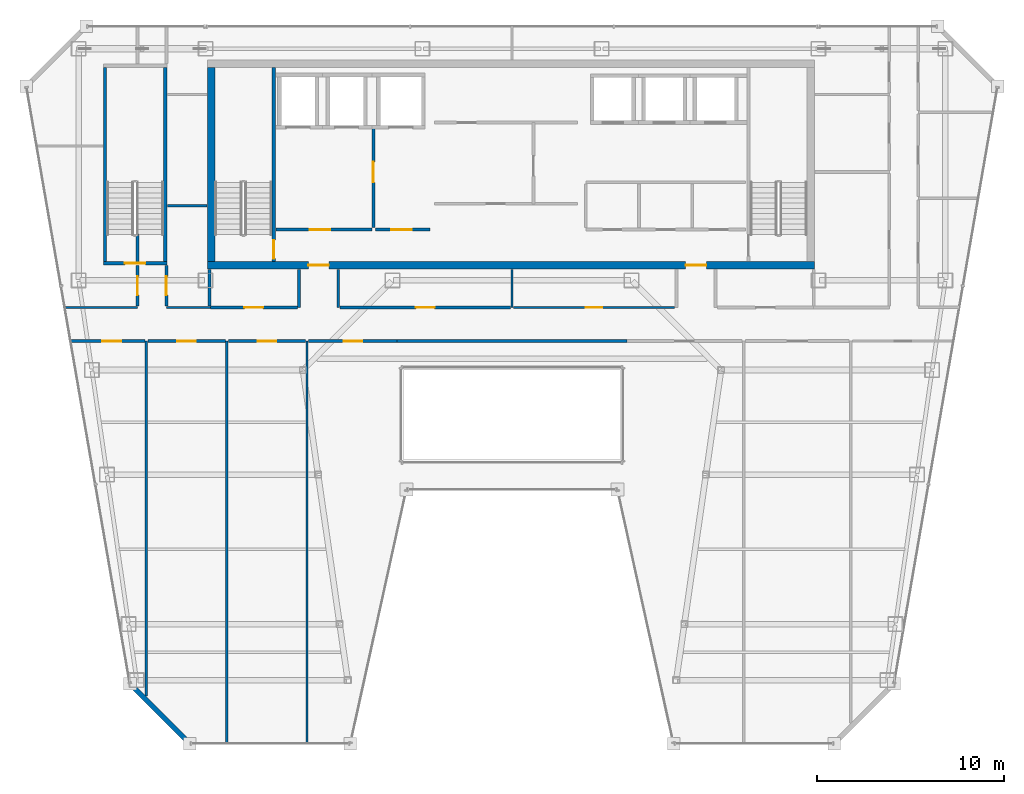
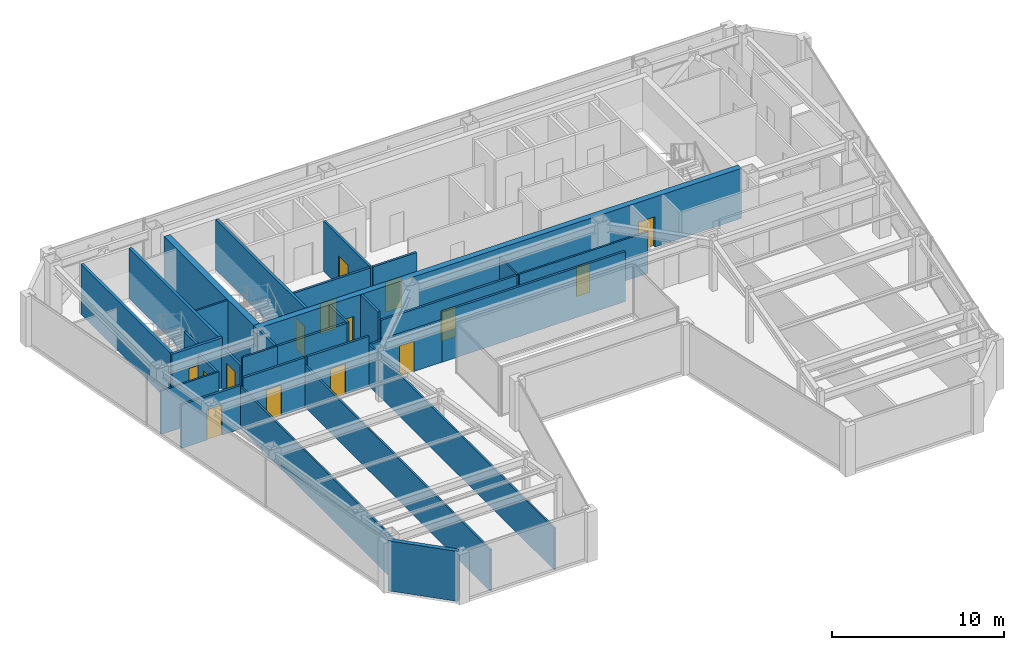
# One storey, part 26 of 33: 31 walls, 16 doors, 16 openings.
"""IFC4 building model written with IfcOpenShell, lengths in metres."""

from ifc_helpers import new_model, si_unit, direction, frame, frame_2d, origin, place, context, subcontext, project, spatial, rectangle, extrude, material, layer, layer_set, type_object, element, fill, save


model = new_model("IFC4")

# Units and contexts
model_context = context("Model", 3, precision=1e-05, world=origin(), true_north=direction((0.0, 1.0)))
body_context = subcontext(model_context, "Body", "Model", "MODEL_VIEW")
ifc_project = project(units=[si_unit("LENGTHUNIT", "METRE"), si_unit("AREAUNIT", "SQUARE_METRE"), si_unit("VOLUMEUNIT", "CUBIC_METRE"), si_unit("PLANEANGLEUNIT", "RADIAN"), si_unit("MASSUNIT", "GRAM", prefix="KILO")], contexts=[model_context])

# Site, building, storey
site_placement = place(None, origin())
site = spatial("IfcSite", under=ifc_project, at=site_placement, CompositionType="ELEMENT")
building_placement = place(site_placement, origin())
building = spatial("IfcBuilding", under=site, at=building_placement, Name="Saevonmaru Cultural Tower", CompositionType="ELEMENT")
storey_placement = place(building_placement, frame((0.0, 0.0, 238.199951171875)))
storey = spatial("IfcBuildingStorey", under=building, at=storey_placement, Name="L55", CompositionType="ELEMENT", Elevation=238.199951171875)

# Wall, openings, doors
ifc_material_1 = material(Name="Concrete C50/60", Category="concrete")
ifc_layer_1 = layer(ifc_material_1, 0.39990234375, Name="Concrete C50/60")
ifc_layer_set_1 = layer_set([ifc_layer_1], Name="Concrete C50/60")
wall_type_1 = type_object("IfcWallType", Name="WL-CORE-400", PredefinedType="SHEAR", material=ifc_layer_set_1)
wall_1_placement = place(storey_placement, frame((13.699951171875, 43.199951171875, 0.0), z_axis=(0.0, 0.0, 1.0), x_axis=(1.0, 0.0, 0.0)))
wall_1 = element("IfcWall", 1, at=wall_1_placement, inside=storey, type_object=wall_type_1, Name="L55 Tower RC core shear wall S", PredefinedType="SHEAR", context=body_context, shape_type="SweptSolid", body=[
    extrude(rectangle(XDim=32.5, YDim=0.39990234375, at=frame_2d((16.25, 0.0))), origin(), (0.0, 0.0, 1.0), 3.550048828125),
])
opening_1_placement = place(wall_1_placement, frame((5.39990234375, 0.0, 0.0)))
opening_1 = element("IfcOpeningElement", 2, at=opening_1_placement, cuts=wall_1, Name="Opening FD-2", PredefinedType="OPENING", context=body_context, shape_type="SweptSolid", body=[
    extrude(rectangle(XDim=1.10009765625, YDim=2.14990234375, at=frame_2d((0.550048828125, 1.074951171875))), frame((0.0, 0.2099609375, 0.0), z_axis=(0.0, -1.0, 0.0), x_axis=(1.0, 0.0, 0.0)), (0.0, 0.0, 1.0), 0.419921875),
])
opening_2_placement = place(wall_1_placement, frame((25.60009765625, 0.0, 0.0)))
opening_2 = element("IfcOpeningElement", 3, at=opening_2_placement, cuts=wall_1, Name="Opening FD-2", PredefinedType="OPENING", context=body_context, shape_type="SweptSolid", body=[
    extrude(rectangle(XDim=1.10009765625, YDim=2.14990234375, at=frame_2d((0.550048828125, 1.074951171875))), frame((0.0, 0.2099609375, 0.0), z_axis=(0.0, -1.0, 0.0), x_axis=(1.0, 0.0, 0.0)), (0.0, 0.0, 1.0), 0.419921875),
])
ifc_material_2 = material(Name="Satin Bronze Anodised Aluminium", Category="aluminium")
door_type_1 = type_object("IfcDoorType", Name="DR-FD60-1100", OperationType="SINGLE_SWING_LEFT", PredefinedType="DOOR", material=ifc_material_2)
door_1_placement = place(opening_1_placement, origin())
door_1 = element("IfcDoor", 4, at=door_1_placement, inside=storey, type_object=door_type_1, Name="L55 Core West Lobby Fire Door", OperationType="SINGLE_SWING_LEFT", OverallHeight=2.14990234375, OverallWidth=1.10009765625, PredefinedType="DOOR", context=body_context, shape_type="SweptSolid", body=[
    extrude(rectangle(XDim=1.10009765625, YDim=2.14990234375, at=frame_2d((0.550048828125, 1.074951171875))), frame((0.0, 0.02490234375, 0.0), z_axis=(0.0, -1.0, 0.0), x_axis=(1.0, 0.0, 0.0)), (0.0, 0.0, 1.0), 0.050048828125),
])
fill(opening_1, door_1)
door_2_placement = place(opening_2_placement, origin())
door_2 = element("IfcDoor", 5, at=door_2_placement, inside=storey, type_object=door_type_1, Name="L55 Core East Lobby Fire Door", OperationType="SINGLE_SWING_LEFT", OverallHeight=2.14990234375, OverallWidth=1.10009765625, PredefinedType="DOOR", context=body_context, shape_type="SweptSolid", body=[
    extrude(rectangle(XDim=1.10009765625, YDim=2.14990234375, at=frame_2d((0.550048828125, 1.074951171875))), frame((0.0, 0.02490234375, 0.0), z_axis=(0.0, -1.0, 0.0), x_axis=(1.0, 0.0, 0.0)), (0.0, 0.0, 1.0), 0.050048828125),
])
fill(opening_2, door_2)

# Wall
wall_2_placement = place(storey_placement, frame((13.89990234375, 43.39990234375, 0.0), z_axis=(0.0, 0.0, 1.0), x_axis=(0.0, 1.0, 0.0)))
element("IfcWall", 6, at=wall_2_placement, inside=storey, type_object=wall_type_1, Name="L55 Tower RC core shear wall W", PredefinedType="SHEAR", context=body_context, shape_type="SweptSolid", body=[
    extrude(rectangle(XDim=10.400146484375, YDim=0.39990234375, at=frame_2d((5.2001953125, 0.0))), origin(), (0.0, 0.0, 1.0), 3.550048828125),
])

# Wall, opening, door
ifc_material_3 = material(Name="Gypsum Fireboard Partition", Category="gypsum")
ifc_layer_2 = layer(ifc_material_3, 0.14990234375, Name="Gypsum Fireboard Partition")
ifc_layer_set_2 = layer_set([ifc_layer_2], Name="Gypsum Fireboard Partition")
wall_type_2 = type_object("IfcWallType", Name="WL-CORE-PART-150", PredefinedType="PARTITIONING", material=ifc_layer_set_2)
wall_3_placement = place(storey_placement, frame((17.360107421875, 45.1201171875, 0.0), z_axis=(0.0, 0.0, 1.0), x_axis=(1.0, 0.0, 0.0)))
wall_3 = element("IfcWall", 7, at=wall_3_placement, inside=storey, type_object=wall_type_2, Name="L55 Firefighting Lift Lobby South Wall", PredefinedType="PARTITIONING", context=body_context, shape_type="SweptSolid", body=[
    extrude(rectangle(XDim=5.139892578125, YDim=0.14990234375, at=frame_2d((2.56982421875, 0.0))), origin(), (0.0, 0.0, 1.0), 3.550048828125),
])
opening_3_placement = place(wall_3_placement, frame((1.800048828125, 0.0, 0.0)))
opening_3 = element("IfcOpeningElement", 8, at=opening_3_placement, cuts=wall_3, Name="Opening FD-2", PredefinedType="OPENING", context=body_context, shape_type="SweptSolid", body=[
    extrude(rectangle(XDim=1.10009765625, YDim=2.14990234375, at=frame_2d((0.550048828125, 1.074951171875))), frame((0.0, 0.0849609375, 0.0), z_axis=(0.0, -1.0, 0.0), x_axis=(1.0, 0.0, 0.0)), (0.0, 0.0, 1.0), 0.169921875),
])
door_3_placement = place(opening_3_placement, origin())
door_3 = element("IfcDoor", 9, at=door_3_placement, inside=storey, type_object=door_type_1, Name="L55 Firefighting Lift Lobby South Door", OperationType="SINGLE_SWING_LEFT", OverallHeight=2.14990234375, OverallWidth=1.10009765625, PredefinedType="DOOR", context=body_context, shape_type="SweptSolid", body=[
    extrude(rectangle(XDim=1.10009765625, YDim=2.14990234375, at=frame_2d((0.550048828125, 1.074951171875))), frame((0.0, 0.02490234375, 0.0), z_axis=(0.0, -1.0, 0.0), x_axis=(1.0, 0.0, 0.0)), (0.0, 0.0, 1.0), 0.050048828125),
])
fill(opening_3, door_3)

wall_4_placement = place(storey_placement, frame((22.580078125, 50.550048828125, 0.0), z_axis=(0.0, 0.0, 1.0), x_axis=(0.0, -1.0, 0.0)))
wall_4 = element("IfcWall", 10, at=wall_4_placement, inside=storey, type_object=wall_type_2, Name="L55 Firefighting Lift Lobby East Wall", PredefinedType="PARTITIONING", context=body_context, shape_type="SweptSolid", body=[
    extrude(rectangle(XDim=5.330078125, YDim=0.14990234375, at=frame_2d((2.6650390625, 0.0))), origin(), (0.0, 0.0, 1.0), 3.550048828125),
])
opening_4_placement = place(wall_4_placement, frame((1.800048828125, 0.0, 0.0)))
opening_4 = element("IfcOpeningElement", 11, at=opening_4_placement, cuts=wall_4, Name="Opening FD-2", PredefinedType="OPENING", context=body_context, shape_type="SweptSolid", body=[
    extrude(rectangle(XDim=1.10009765625, YDim=2.14990234375, at=frame_2d((0.550048828125, 1.074951171875))), frame((0.0, 0.0849609375, 0.0), z_axis=(0.0, -1.0, 0.0), x_axis=(1.0, 0.0, 0.0)), (0.0, 0.0, 1.0), 0.169921875),
])
door_4_placement = place(opening_4_placement, origin())
door_4 = element("IfcDoor", 12, at=door_4_placement, inside=storey, type_object=door_type_1, Name="L55 Firefighting Lift Lobby East Door", OperationType="SINGLE_SWING_LEFT", OverallHeight=2.14990234375, OverallWidth=1.10009765625, PredefinedType="DOOR", context=body_context, shape_type="SweptSolid", body=[
    extrude(rectangle(XDim=1.10009765625, YDim=2.14990234375, at=frame_2d((0.550048828125, 1.074951171875))), frame((0.0, 0.02490234375, 0.0), z_axis=(0.0, -1.0, 0.0), x_axis=(1.0, 0.0, 0.0)), (0.0, 0.0, 1.0), 0.050048828125),
])
fill(opening_4, door_4)

wall_5_placement = place(storey_placement, frame((22.679931640625, 45.1201171875, 0.0), z_axis=(0.0, 0.0, 1.0), x_axis=(1.0, 0.0, 0.0)))
wall_5 = element("IfcWall", 13, at=wall_5_placement, inside=storey, type_object=wall_type_2, Name="L55 Service Lift Vestibule Wall", PredefinedType="PARTITIONING", context=body_context, shape_type="SweptSolid", body=[
    extrude(rectangle(XDim=2.920166015625, YDim=0.14990234375, at=frame_2d((1.4599609375, 0.0))), origin(), (0.0, 0.0, 1.0), 3.550048828125),
])
opening_5_placement = place(wall_5_placement, frame((0.85009765625, 0.0, 0.0)))
opening_5 = element("IfcOpeningElement", 14, at=opening_5_placement, cuts=wall_5, Name="Opening FD-2", PredefinedType="OPENING", context=body_context, shape_type="SweptSolid", body=[
    extrude(rectangle(XDim=1.10009765625, YDim=2.14990234375, at=frame_2d((0.550048828125, 1.074951171875))), frame((0.0, 0.0849609375, 0.0), z_axis=(0.0, -1.0, 0.0), x_axis=(1.0, 0.0, 0.0)), (0.0, 0.0, 1.0), 0.169921875),
])
door_5_placement = place(opening_5_placement, origin())
door_5 = element("IfcDoor", 15, at=door_5_placement, inside=storey, type_object=door_type_1, Name="L55 Service Lift Vestibule Door", OperationType="SINGLE_SWING_LEFT", OverallHeight=2.14990234375, OverallWidth=1.10009765625, PredefinedType="DOOR", context=body_context, shape_type="SweptSolid", body=[
    extrude(rectangle(XDim=1.10009765625, YDim=2.14990234375, at=frame_2d((0.550048828125, 1.074951171875))), frame((0.0, 0.02490234375, 0.0), z_axis=(0.0, -1.0, 0.0), x_axis=(1.0, 0.0, 0.0)), (0.0, 0.0, 1.0), 0.050048828125),
])
fill(opening_5, door_5)

# Wall
ifc_material_4 = material(Name="Granite-Clad Precast Concrete C40/50", Category="masonry")
ifc_layer_3 = layer(ifc_material_4, 0.260009765625, Name="Granite-Clad Precast Concrete C40/50")
ifc_layer_set_3 = layer_set([ifc_layer_3], Name="Granite-Clad Precast Concrete C40/50")
wall_type_3 = type_object("IfcWallType", Name="WL-EXT-SPANDREL-260", PredefinedType="STANDARD", material=ifc_layer_set_3)
wall_6_placement = place(storey_placement, frame((9.659912109375, 20.68701171875, 0.0), z_axis=(0.0, 0.0, 1.0), x_axis=(0.70707775441, -0.707135806771, 0.0)))
element("IfcWall", 16, at=wall_6_placement, inside=storey, type_object=wall_type_3, Name="L55 Chamfer Corner Spandrel Wall E1", PredefinedType="STANDARD", context=body_context, shape_type="SweptSolid", body=[
    extrude(rectangle(XDim=4.20556640625, YDim=0.260009765625, at=frame_2d((2.102783203125, 0.0))), origin(), (0.0, 0.0, 1.0), 3.550048828125),
])

# Wall, opening, door
ifc_layer_4 = layer(ifc_material_3, 0.14990234375, Name="Gypsum Fireboard Partition")
ifc_layer_set_4 = layer_set([ifc_layer_4], Name="Gypsum Fireboard Partition")
wall_type_4 = type_object("IfcWallType", Name="WL-PART-FIRE-150", PredefinedType="PARTITIONING", material=ifc_layer_set_4)
wall_7_placement = place(storey_placement, frame((9.949951171875, 41.030029296875, 0.0), z_axis=(0.0, 0.0, 1.0), x_axis=(0.0, 1.0, 0.0)))
wall_7 = element("IfcWall", 17, at=wall_7_placement, inside=storey, type_object=wall_type_4, Name="L55 Chamber Rehearsal Auditorium Corridor Wall", PredefinedType="PARTITIONING", context=body_context, shape_type="SweptSolid", body=[
    extrude(rectangle(XDim=2.169921875, YDim=0.14990234375, at=frame_2d((1.0849609375, 0.0))), origin(), (0.0, 0.0, 1.0), 2.947021484375),
])
opening_6_placement = place(wall_7_placement, frame((0.5849609375, 0.0, 0.0)))
opening_6 = element("IfcOpeningElement", 18, at=opening_6_placement, cuts=wall_7, Name="Opening ID-1B", PredefinedType="OPENING", context=body_context, shape_type="SweptSolid", body=[
    extrude(rectangle(XDim=1.0, YDim=2.14990234375, at=frame_2d((0.5, 1.074951171875))), frame((0.0, 0.0849609375, 0.0), z_axis=(0.0, -1.0, 0.0), x_axis=(1.0, 0.0, 0.0)), (0.0, 0.0, 1.0), 0.169921875),
])
ifc_material_5 = material(Name="Acoustic Stained Oak Timber", Category="wood")
door_type_2 = type_object("IfcDoorType", Name="DR-INT-1000", OperationType="SINGLE_SWING_RIGHT", PredefinedType="DOOR", material=ifc_material_5)
door_6_placement = place(opening_6_placement, origin())
door_6 = element("IfcDoor", 19, at=door_6_placement, inside=storey, type_object=door_type_2, Name="L55 Chamber Rehearsal Auditorium Door", OperationType="SINGLE_SWING_LEFT", OverallHeight=2.14990234375, OverallWidth=1.0, PredefinedType="DOOR", context=body_context, shape_type="SweptSolid", body=[
    extrude(rectangle(XDim=1.0, YDim=2.14990234375, at=frame_2d((0.5, 1.074951171875))), frame((0.0, 0.02490234375, 0.0), z_axis=(0.0, -1.0, 0.0), x_axis=(1.0, 0.0, 0.0)), (0.0, 0.0, 1.0), 0.050048828125),
])
fill(opening_6, door_6)

# Wall
wall_8_placement = place(storey_placement, frame((9.949951171875, 43.419921875, 0.0), z_axis=(0.0, 0.0, 1.0), x_axis=(0.0, 1.0, 0.0)))
element("IfcWall", 20, at=wall_8_placement, inside=storey, type_object=wall_type_4, Name="L55 Chamber Rehearsal Auditorium Corridor Wall (2)", PredefinedType="PARTITIONING", context=body_context, shape_type="SweptSolid", body=[
    extrude(rectangle(XDim=1.4501953125, YDim=0.14990234375, at=frame_2d((0.72509765625, 0.0))), origin(), (0.0, 0.0, 1.0), 3.550048828125),
])

# Wall, opening, door
wall_9_placement = place(storey_placement, frame((11.5, 41.030029296875, 0.0), z_axis=(0.0, 0.0, 1.0), x_axis=(0.0, 1.0, 0.0)))
wall_9 = element("IfcWall", 21, at=wall_9_placement, inside=storey, type_object=wall_type_4, Name="L55 Media Screening Auditorium Corridor Wall", PredefinedType="PARTITIONING", context=body_context, shape_type="SweptSolid", body=[
    extrude(rectangle(XDim=2.169921875, YDim=0.14990234375, at=frame_2d((1.0849609375, 0.0))), origin(), (0.0, 0.0, 1.0), 2.947021484375),
])
opening_7_placement = place(wall_9_placement, frame((0.5849609375, 0.0, 0.0)))
opening_7 = element("IfcOpeningElement", 22, at=opening_7_placement, cuts=wall_9, Name="Opening ID-1B", PredefinedType="OPENING", context=body_context, shape_type="SweptSolid", body=[
    extrude(rectangle(XDim=1.0, YDim=2.14990234375, at=frame_2d((0.5, 1.074951171875))), frame((0.0, 0.0849609375, 0.0), z_axis=(0.0, -1.0, 0.0), x_axis=(1.0, 0.0, 0.0)), (0.0, 0.0, 1.0), 0.169921875),
])
door_7_placement = place(opening_7_placement, origin())
door_7 = element("IfcDoor", 23, at=door_7_placement, inside=storey, type_object=door_type_2, Name="L55 Media Screening Auditorium Door", OperationType="SINGLE_SWING_RIGHT", OverallHeight=2.14990234375, OverallWidth=1.0, PredefinedType="DOOR", context=body_context, shape_type="SweptSolid", body=[
    extrude(rectangle(XDim=1.0, YDim=2.14990234375, at=frame_2d((0.5, 1.074951171875))), frame((0.0, 0.02490234375, 0.0), z_axis=(0.0, -1.0, 0.0), x_axis=(1.0, 0.0, 0.0)), (0.0, 0.0, 1.0), 0.050048828125),
])
fill(opening_7, door_7)

# Walls
wall_10_placement = place(storey_placement, frame((13.800048828125, 41.030029296875, 0.0), z_axis=(0.0, 0.0, 1.0), x_axis=(0.0, 1.0, 0.0)))
element("IfcWall", 24, at=wall_10_placement, inside=storey, type_object=wall_type_4, Name="L55 Core Portal Side Wall W0", PredefinedType="PARTITIONING", context=body_context, shape_type="SweptSolid", body=[
    extrude(rectangle(XDim=1.949951171875, YDim=0.14990234375, at=frame_2d((0.97509765625, 0.0))), origin(), (0.0, 0.0, 1.0), 3.550048828125),
])
for number, where, z_axis, x_axis, name in (
    (25, (18.60009765625, 40.949951171875, 0.0), (0.0, 0.0, 1.0), (0.0, 1.0, 0.0), "L55 Core Portal Side Wall W1"),
    (26, (20.699951171875, 40.949951171875, 0.0), (0.0, 0.0, 1.0), (0.0, 1.0, 0.0), "L55 Core Portal Side Wall W2"),
):
    element("IfcWall", number, at=place(storey_placement, frame(where, z_axis=z_axis, x_axis=x_axis)), inside=storey, type_object=wall_type_4, Name=name, PredefinedType="PARTITIONING", context=body_context, shape_type="SweptSolid", body=[
        extrude(rectangle(XDim=2.030029296875, YDim=0.14990234375, at=frame_2d((1.01513671875, 0.0))), origin(), (0.0, 0.0, 1.0), 3.550048828125),
    ])

# Wall, opening, door
wall_11_placement = place(storey_placement, frame((13.85009765625, 40.949951171875, 0.0), z_axis=(0.0, 0.0, 1.0), x_axis=(1.0, 0.0, 0.0)))
wall_11 = element("IfcWall", 27, at=wall_11_placement, inside=storey, type_object=wall_type_4, Name="L55 Chamber Rehearsal Auditorium Corridor Wall", PredefinedType="PARTITIONING", context=body_context, shape_type="SweptSolid", body=[
    extrude(rectangle(XDim=4.65478515625, YDim=0.14990234375, at=frame_2d((2.327392578125, 0.0))), origin(), (0.0, 0.0, 1.0), 3.550048828125),
])
opening_8_placement = place(wall_11_placement, frame((1.826904296875, 0.0, 0.0)))
opening_8 = element("IfcOpeningElement", 28, at=opening_8_placement, cuts=wall_11, Name="Opening ID-1B", PredefinedType="OPENING", context=body_context, shape_type="SweptSolid", body=[
    extrude(rectangle(XDim=1.0, YDim=2.14990234375, at=frame_2d((0.5, 1.074951171875))), frame((0.0, 0.0849609375, 0.0), z_axis=(0.0, -1.0, 0.0), x_axis=(1.0, 0.0, 0.0)), (0.0, 0.0, 1.0), 0.169921875),
])
door_8_placement = place(opening_8_placement, origin())
door_8 = element("IfcDoor", 29, at=door_8_placement, inside=storey, type_object=door_type_2, Name="L55 Chamber Rehearsal Auditorium Door", OperationType="SINGLE_SWING_RIGHT", OverallHeight=2.14990234375, OverallWidth=1.0, PredefinedType="DOOR", context=body_context, shape_type="SweptSolid", body=[
    extrude(rectangle(XDim=1.0, YDim=2.14990234375, at=frame_2d((0.5, 1.074951171875))), frame((0.0, 0.02490234375, 0.0), z_axis=(0.0, -1.0, 0.0), x_axis=(1.0, 0.0, 0.0)), (0.0, 0.0, 1.0), 0.050048828125),
])
fill(opening_8, door_8)

wall_12_placement = place(storey_placement, frame((20.794921875, 40.949951171875, 0.0), z_axis=(0.0, 0.0, 1.0), x_axis=(1.0, 0.0, 0.0)))
wall_12 = element("IfcWall", 30, at=wall_12_placement, inside=storey, type_object=wall_type_4, Name="L55 Chamber Rehearsal Auditorium Corridor Wall", PredefinedType="PARTITIONING", context=body_context, shape_type="SweptSolid", body=[
    extrude(rectangle(XDim=9.125, YDim=0.14990234375, at=frame_2d((4.5625, 0.0))), origin(), (0.0, 0.0, 1.0), 2.947021484375),
])
opening_9_placement = place(wall_12_placement, frame((4.06201171875, 0.0, 0.0)))
opening_9 = element("IfcOpeningElement", 31, at=opening_9_placement, cuts=wall_12, Name="Opening ID-1B", PredefinedType="OPENING", context=body_context, shape_type="SweptSolid", body=[
    extrude(rectangle(XDim=1.0, YDim=2.14990234375, at=frame_2d((0.5, 1.074951171875))), frame((0.0, 0.0849609375, 0.0), z_axis=(0.0, -1.0, 0.0), x_axis=(1.0, 0.0, 0.0)), (0.0, 0.0, 1.0), 0.169921875),
])
door_9_placement = place(opening_9_placement, origin())
door_9 = element("IfcDoor", 32, at=door_9_placement, inside=storey, type_object=door_type_2, Name="L55 Chamber Rehearsal Auditorium Door", OperationType="SINGLE_SWING_LEFT", OverallHeight=2.14990234375, OverallWidth=1.0, PredefinedType="DOOR", context=body_context, shape_type="SweptSolid", body=[
    extrude(rectangle(XDim=1.0, YDim=2.14990234375, at=frame_2d((0.5, 1.074951171875))), frame((0.0, 0.02490234375, 0.0), z_axis=(0.0, -1.0, 0.0), x_axis=(1.0, 0.0, 0.0)), (0.0, 0.0, 1.0), 0.050048828125),
])
fill(opening_9, door_9)

wall_13_placement = place(storey_placement, frame((6.37109375, 39.14990234375, 0.0), z_axis=(0.0, 0.0, 1.0), x_axis=(1.0, 0.0, 0.0)))
wall_13 = element("IfcWall", 33, at=wall_13_placement, inside=storey, type_object=wall_type_4, Name="L55 Chamber Rehearsal Auditorium Corridor Wall", PredefinedType="PARTITIONING", context=body_context, shape_type="SweptSolid", body=[
    extrude(rectangle(XDim=3.968994140625, YDim=0.14990234375, at=frame_2d((1.984375, 0.0))), origin(), (0.0, 0.0, 1.0), 3.0849609375),
])
opening_10_placement = place(wall_13_placement, frame((1.7041015625, 0.0, 0.0)))
opening_10 = element("IfcOpeningElement", 34, at=opening_10_placement, cuts=wall_13, Name="Opening ID-1B", PredefinedType="OPENING", context=body_context, shape_type="SweptSolid", body=[
    extrude(rectangle(XDim=1.0, YDim=2.14990234375, at=frame_2d((0.5, 1.074951171875))), frame((0.0, 0.0849609375, 0.0), z_axis=(0.0, -1.0, 0.0), x_axis=(1.0, 0.0, 0.0)), (0.0, 0.0, 1.0), 0.169921875),
])
door_10_placement = place(opening_10_placement, origin())
door_10 = element("IfcDoor", 35, at=door_10_placement, inside=storey, type_object=door_type_2, Name="L55 Chamber Rehearsal Auditorium Door", OperationType="SINGLE_SWING_RIGHT", OverallHeight=2.14990234375, OverallWidth=1.0, PredefinedType="DOOR", context=body_context, shape_type="SweptSolid", body=[
    extrude(rectangle(XDim=1.0, YDim=2.14990234375, at=frame_2d((0.5, 1.074951171875))), frame((0.0, 0.02490234375, 0.0), z_axis=(0.0, -1.0, 0.0), x_axis=(1.0, 0.0, 0.0)), (0.0, 0.0, 1.0), 0.050048828125),
])
fill(opening_10, door_10)

wall_14_placement = place(storey_placement, frame((10.5, 39.14990234375, 0.0), z_axis=(0.0, 0.0, 1.0), x_axis=(1.0, 0.0, 0.0)))
wall_14 = element("IfcWall", 36, at=wall_14_placement, inside=storey, type_object=wall_type_4, Name="L55 Media Screening Auditorium Corridor Wall", PredefinedType="PARTITIONING", context=body_context, shape_type="SweptSolid", body=[
    extrude(rectangle(XDim=4.14990234375, YDim=0.14990234375, at=frame_2d((2.074951171875, 0.0))), origin(), (0.0, 0.0, 1.0), 3.550048828125),
])
opening_11_placement = place(wall_14_placement, frame((1.574951171875, 0.0, 0.0)))
opening_11 = element("IfcOpeningElement", 37, at=opening_11_placement, cuts=wall_14, Name="Opening ID-1B", PredefinedType="OPENING", context=body_context, shape_type="SweptSolid", body=[
    extrude(rectangle(XDim=1.0, YDim=2.14990234375, at=frame_2d((0.5, 1.074951171875))), frame((0.0, 0.0849609375, 0.0), z_axis=(0.0, -1.0, 0.0), x_axis=(1.0, 0.0, 0.0)), (0.0, 0.0, 1.0), 0.169921875),
])
door_11_placement = place(opening_11_placement, origin())
door_11 = element("IfcDoor", 38, at=door_11_placement, inside=storey, type_object=door_type_2, Name="L55 Media Screening Auditorium Door", OperationType="SINGLE_SWING_LEFT", OverallHeight=2.14990234375, OverallWidth=1.0, PredefinedType="DOOR", context=body_context, shape_type="SweptSolid", body=[
    extrude(rectangle(XDim=1.0, YDim=2.14990234375, at=frame_2d((0.5, 1.074951171875))), frame((0.0, 0.02490234375, 0.0), z_axis=(0.0, -1.0, 0.0), x_axis=(1.0, 0.0, 0.0)), (0.0, 0.0, 1.0), 0.050048828125),
])
fill(opening_11, door_11)

wall_15_placement = place(storey_placement, frame((14.81005859375, 39.14990234375, 0.0), z_axis=(0.0, 0.0, 1.0), x_axis=(1.0, 0.0, 0.0)))
wall_15 = element("IfcWall", 39, at=wall_15_placement, inside=storey, type_object=wall_type_4, Name="L55 Sound Art Screening Auditorium Corridor Wall", PredefinedType="PARTITIONING", context=body_context, shape_type="SweptSolid", body=[
    extrude(rectangle(XDim=4.139892578125, YDim=0.14990234375, at=frame_2d((2.06982421875, 0.0))), origin(), (0.0, 0.0, 1.0), 3.550048828125),
])
opening_12_placement = place(wall_15_placement, frame((1.570068359375, 0.0, 0.0)))
opening_12 = element("IfcOpeningElement", 40, at=opening_12_placement, cuts=wall_15, Name="Opening ID-1B", PredefinedType="OPENING", context=body_context, shape_type="SweptSolid", body=[
    extrude(rectangle(XDim=1.0, YDim=2.14990234375, at=frame_2d((0.5, 1.074951171875))), frame((0.0, 0.0849609375, 0.0), z_axis=(0.0, -1.0, 0.0), x_axis=(1.0, 0.0, 0.0)), (0.0, 0.0, 1.0), 0.169921875),
])
door_12_placement = place(opening_12_placement, origin())
door_12 = element("IfcDoor", 41, at=door_12_placement, inside=storey, type_object=door_type_2, Name="L55 Sound Art Screening Auditorium Door", OperationType="SINGLE_SWING_RIGHT", OverallHeight=2.14990234375, OverallWidth=1.0, PredefinedType="DOOR", context=body_context, shape_type="SweptSolid", body=[
    extrude(rectangle(XDim=1.0, YDim=2.14990234375, at=frame_2d((0.5, 1.074951171875))), frame((0.0, 0.02490234375, 0.0), z_axis=(0.0, -1.0, 0.0), x_axis=(1.0, 0.0, 0.0)), (0.0, 0.0, 1.0), 0.050048828125),
])
fill(opening_12, door_12)

wall_16_placement = place(storey_placement, frame((19.110107421875, 39.14990234375, 0.0), z_axis=(0.0, 0.0, 1.0), x_axis=(1.0, 0.0, 0.0)))
wall_16 = element("IfcWall", 42, at=wall_16_placement, inside=storey, type_object=wall_type_4, Name="L55 Chamber Rehearsal Auditorium Corridor Wall", PredefinedType="PARTITIONING", context=body_context, shape_type="SweptSolid", body=[
    extrude(rectangle(XDim=4.739990234375, YDim=0.14990234375, at=frame_2d((2.3701171875, 0.0))), origin(), (0.0, 0.0, 1.0), 2.947021484375),
])
opening_13_placement = place(wall_16_placement, frame((1.8701171875, 0.0, 0.0)))
opening_13 = element("IfcOpeningElement", 43, at=opening_13_placement, cuts=wall_16, Name="Opening ID-1B", PredefinedType="OPENING", context=body_context, shape_type="SweptSolid", body=[
    extrude(rectangle(XDim=1.0, YDim=2.14990234375, at=frame_2d((0.5, 1.074951171875))), frame((0.0, 0.0849609375, 0.0), z_axis=(0.0, -1.0, 0.0), x_axis=(1.0, 0.0, 0.0)), (0.0, 0.0, 1.0), 0.169921875),
])
door_13_placement = place(opening_13_placement, origin())
door_13 = element("IfcDoor", 44, at=door_13_placement, inside=storey, type_object=door_type_2, Name="L55 Chamber Rehearsal Auditorium Door", OperationType="SINGLE_SWING_LEFT", OverallHeight=2.14990234375, OverallWidth=1.0, PredefinedType="DOOR", context=body_context, shape_type="SweptSolid", body=[
    extrude(rectangle(XDim=1.0, YDim=2.14990234375, at=frame_2d((0.5, 1.074951171875))), frame((0.0, 0.02490234375, 0.0), z_axis=(0.0, -1.0, 0.0), x_axis=(1.0, 0.0, 0.0)), (0.0, 0.0, 1.0), 0.050048828125),
])
fill(opening_13, door_13)

# Walls
wall_17_placement = place(storey_placement, frame((23.85009765625, 39.14990234375, 0.0), z_axis=(0.0, 0.0, 1.0), x_axis=(1.0, 0.0, 0.0)))
element("IfcWall", 45, at=wall_17_placement, inside=storey, type_object=wall_type_4, Name="L55 North Atrium Corridor Wall", PredefinedType="PARTITIONING", context=body_context, shape_type="SweptSolid", body=[
    extrude(rectangle(XDim=12.2998046875, YDim=0.14990234375, at=frame_2d((6.14990234375, 0.0))), origin(), (0.0, 0.0, 1.0), 3.550048828125),
])
ifc_layer_5 = layer(ifc_material_3, 0.1201171875, Name="Gypsum Fireboard Partition")
ifc_layer_set_5 = layer_set([ifc_layer_5], Name="Gypsum Fireboard Partition")
wall_type_5 = type_object("IfcWallType", Name="WL-PART-GYP-120", PredefinedType="PARTITIONING", material=ifc_layer_set_5)
wall_18_placement = place(storey_placement, frame((6.05908203125, 40.949951171875, 0.0), z_axis=(0.0, 0.0, 1.0), x_axis=(1.0, 0.0, 0.0)))
element("IfcWall", 46, at=wall_18_placement, inside=storey, type_object=wall_type_5, Name="L55 NW Wing South Wall", PredefinedType="PARTITIONING", context=body_context, shape_type="SweptSolid", body=[
    extrude(rectangle(XDim=3.890869140625, YDim=0.1201171875, at=frame_2d((1.9453125, 0.0))), origin(), (0.0, 0.0, 1.0), 3.0849609375),
])
wall_19_placement = place(storey_placement, frame((11.5, 40.949951171875, 0.0), z_axis=(0.0, 0.0, 1.0), x_axis=(1.0, 0.0, 0.0)))
element("IfcWall", 47, at=wall_19_placement, inside=storey, type_object=wall_type_5, Name="L55 NW Inner South Wall", PredefinedType="PARTITIONING", context=body_context, shape_type="SweptSolid", body=[
    extrude(rectangle(XDim=2.35009765625, YDim=0.1201171875, at=frame_2d((1.175048828125, 0.0))), origin(), (0.0, 0.0, 1.0), 3.550048828125),
])
wall_20_placement = place(storey_placement, frame((11.550048828125, 46.39990234375, 0.0), z_axis=(0.0, 0.0, 1.0), x_axis=(1.0, 0.0, 0.0)))
element("IfcWall", 48, at=wall_20_placement, inside=storey, type_object=wall_type_5, Name="L55 NW Inner Divider", PredefinedType="PARTITIONING", context=body_context, shape_type="SweptSolid", body=[
    extrude(rectangle(XDim=2.1298828125, YDim=0.1201171875, at=frame_2d((1.06494140625, 0.0))), origin(), (0.0, 0.0, 1.0), 3.550048828125),
])
wall_21_placement = place(storey_placement, frame((30.0, 40.949951171875, 0.0), z_axis=(0.0, 0.0, 1.0), x_axis=(0.0, 1.0, 0.0)))
element("IfcWall", 49, at=wall_21_placement, inside=storey, type_object=wall_type_5, Name="L55 Spine Alcove Split", PredefinedType="PARTITIONING", context=body_context, shape_type="SweptSolid", body=[
    extrude(rectangle(XDim=2.030029296875, YDim=0.1201171875, at=frame_2d((1.01513671875, 0.0))), origin(), (0.0, 0.0, 1.0), 2.947021484375),
])

# Wall, opening, door
wall_22_placement = place(storey_placement, frame((30.080078125, 40.949951171875, 0.0), z_axis=(0.0, 0.0, 1.0), x_axis=(1.0, 0.0, 0.0)))
wall_22 = element("IfcWall", 50, at=wall_22_placement, inside=storey, type_object=wall_type_5, Name="L55 Architecture Residency Office Corridor Wall", PredefinedType="PARTITIONING", context=body_context, shape_type="SweptSolid", body=[
    extrude(rectangle(XDim=8.625, YDim=0.1201171875, at=frame_2d((4.3125, 0.0))), origin(), (0.0, 0.0, 1.0), 2.947021484375),
])
opening_14_placement = place(wall_22_placement, frame((3.862060546875, 0.0, 0.0)))
opening_14 = element("IfcOpeningElement", 51, at=opening_14_placement, cuts=wall_22, Name="Opening ID-2", PredefinedType="OPENING", context=body_context, shape_type="SweptSolid", body=[
    extrude(rectangle(XDim=0.89990234375, YDim=2.10009765625, at=frame_2d((0.449951171875, 1.050048828125))), frame((0.0, 0.070068359375, 0.0), z_axis=(0.0, -1.0, 0.0), x_axis=(1.0, 0.0, 0.0)), (0.0, 0.0, 1.0), 0.14013671875),
])
door_type_3 = type_object("IfcDoorType", Name="DR-INT-900", OperationType="SINGLE_SWING_RIGHT", PredefinedType="DOOR", material=ifc_material_5)
door_14_placement = place(opening_14_placement, origin())
door_14 = element("IfcDoor", 52, at=door_14_placement, inside=storey, type_object=door_type_3, Name="L55 Architecture Residency Office Door", OperationType="SINGLE_SWING_RIGHT", OverallHeight=2.10009765625, OverallWidth=0.89990234375, PredefinedType="DOOR", context=body_context, shape_type="SweptSolid", body=[
    extrude(rectangle(XDim=0.89990234375, YDim=2.10009765625, at=frame_2d((0.449951171875, 1.050048828125))), frame((0.0, 0.02490234375, 0.0), z_axis=(0.0, -1.0, 0.0), x_axis=(1.0, 0.0, 0.0)), (0.0, 0.0, 1.0), 0.050048828125),
])
fill(opening_14, door_14)

# Walls
wall_23_placement = place(storey_placement, frame((10.419921875, 20.138916015625, 0.0), z_axis=(0.0, 0.0, 1.0), x_axis=(0.0, 1.0, 0.0)))
element("IfcWall", 53, at=wall_23_placement, inside=storey, type_object=wall_type_5, Name="L55 West Bay Divider 1", PredefinedType="PARTITIONING", context=body_context, shape_type="SweptSolid", body=[
    extrude(rectangle(XDim=19.010986328125, YDim=0.1201171875, at=frame_2d((9.50537109375, 0.0))), origin(), (0.0, 0.0, 1.0), 2.947021484375),
])
for number, where, z_axis, x_axis, name in (
    (54, (14.72998046875, 17.60498046875, 0.0), (0.0, 0.0, 1.0), (0.0, 1.0, 0.0), "L55 West Bay Divider 2"),
    (55, (19.030029296875, 17.60498046875, 0.0), (0.0, 0.0, 1.0), (0.0, 1.0, 0.0), "L55 West Bay Divider 3"),
):
    element("IfcWall", number, at=place(storey_placement, frame(where, z_axis=z_axis, x_axis=x_axis)), inside=storey, type_object=wall_type_5, Name=name, PredefinedType="PARTITIONING", context=body_context, shape_type="SweptSolid", body=[
        extrude(rectangle(XDim=21.544921875, YDim=0.1201171875, at=frame_2d((10.7724609375, 0.0))), origin(), (0.0, 0.0, 1.0), 2.947021484375),
    ])

# Wall, opening, door
ifc_material_6 = material(Name="Concrete C40/50", Category="concrete")
ifc_layer_6 = layer(ifc_material_6, 0.179931640625, Name="Concrete C40/50")
ifc_layer_set_6 = layer_set([ifc_layer_6], Name="Concrete C40/50")
wall_type_6 = type_object("IfcWallType", Name="WL-STSHAFT-180", PredefinedType="SHEAR", material=ifc_layer_set_6)
wall_24_placement = place(storey_placement, frame((17.239990234375, 43.39990234375, 0.0), z_axis=(0.0, 0.0, 1.0), x_axis=(0.0, 1.0, 0.0)))
wall_24 = element("IfcWall", 56, at=wall_24_placement, inside=storey, type_object=wall_type_6, Name="L55 Stair ST-1 Structural Shaft Wall 1", PredefinedType="SHEAR", context=body_context, shape_type="SweptSolid", body=[
    extrude(rectangle(XDim=10.400146484375, YDim=0.179931640625, at=frame_2d((5.2001953125, 0.0))), origin(), (0.0, 0.0, 1.0), 3.550048828125),
])
opening_15_placement = place(wall_24_placement, frame((0.159912109375, 0.0, 0.0)))
opening_15 = element("IfcOpeningElement", 57, at=opening_15_placement, cuts=wall_24, Name="Opening FD-3", PredefinedType="OPENING", context=body_context, shape_type="SweptSolid", body=[
    extrude(rectangle(XDim=1.0, YDim=2.14990234375, at=frame_2d((0.5, 1.074951171875))), frame((0.0, 0.10009765625, 0.0), z_axis=(0.0, -1.0, 0.0), x_axis=(1.0, 0.0, 0.0)), (0.0, 0.0, 1.0), 0.199951171875),
])
door_type_4 = type_object("IfcDoorType", Name="DR-FD60-1000", OperationType="SINGLE_SWING_RIGHT", PredefinedType="DOOR", material=ifc_material_2)
door_15_placement = place(opening_15_placement, origin())
door_15 = element("IfcDoor", 58, at=door_15_placement, inside=storey, type_object=door_type_4, Name="L55 Protected Stair ST-1 Fire Door", OperationType="SINGLE_SWING_RIGHT", OverallHeight=2.14990234375, OverallWidth=1.0, PredefinedType="DOOR", context=body_context, shape_type="SweptSolid", body=[
    extrude(rectangle(XDim=1.0, YDim=2.14990234375, at=frame_2d((0.5, 1.074951171875))), frame((0.0, 0.02490234375, 0.0), z_axis=(0.0, -1.0, 0.0), x_axis=(1.0, 0.0, 0.0)), (0.0, 0.0, 1.0), 0.050048828125),
])
fill(opening_15, door_15)

wall_25_placement = place(storey_placement, frame((8.1201171875, 43.31005859375, 0.0), z_axis=(0.0, 0.0, 1.0), x_axis=(1.0, 0.0, 0.0)))
wall_25 = element("IfcWall", 59, at=wall_25_placement, inside=storey, type_object=wall_type_6, Name="L55 Stair ST-3 Structural Shaft Wall 1", PredefinedType="SHEAR", context=body_context, shape_type="SweptSolid", body=[
    extrude(rectangle(XDim=3.409912109375, YDim=0.179931640625, at=frame_2d((1.705078125, 0.0))), origin(), (0.0, 0.0, 1.0), 3.550048828125),
])
opening_16_placement = place(wall_25_placement, frame((1.14990234375, 0.0, 0.0)))
opening_16 = element("IfcOpeningElement", 60, at=opening_16_placement, cuts=wall_25, Name="Opening FD-2", PredefinedType="OPENING", context=body_context, shape_type="SweptSolid", body=[
    extrude(rectangle(XDim=1.10009765625, YDim=2.14990234375, at=frame_2d((0.550048828125, 1.074951171875))), frame((0.0, 0.10009765625, 0.0), z_axis=(0.0, -1.0, 0.0), x_axis=(1.0, 0.0, 0.0)), (0.0, 0.0, 1.0), 0.199951171875),
])
door_16_placement = place(opening_16_placement, origin())
door_16 = element("IfcDoor", 61, at=door_16_placement, inside=storey, type_object=door_type_1, Name="L55 Protected Stair ST-3 Fire Door", OperationType="SINGLE_SWING_LEFT", OverallHeight=2.14990234375, OverallWidth=1.10009765625, PredefinedType="DOOR", context=body_context, shape_type="SweptSolid", body=[
    extrude(rectangle(XDim=1.10009765625, YDim=2.14990234375, at=frame_2d((0.550048828125, 1.074951171875))), frame((0.0, 0.02490234375, 0.0), z_axis=(0.0, -1.0, 0.0), x_axis=(1.0, 0.0, 0.0)), (0.0, 0.0, 1.0), 0.050048828125),
])
fill(opening_16, door_16)

# Walls
for number, where, z_axis, x_axis, name in (
    (62, (11.43994140625, 43.39990234375, 0.0), (0.0, 0.0, 1.0), (0.0, 1.0, 0.0), "L55 Stair ST-3 Structural Shaft Wall 2"),
    (63, (8.2099609375, 53.800048828125, 0.0), (0.0, 0.0, 1.0), (0.0, -1.0, 0.0), "L55 Stair ST-3 Structural Shaft Wall 4"),
):
    element("IfcWall", number, at=place(storey_placement, frame(where, z_axis=z_axis, x_axis=x_axis)), inside=storey, type_object=wall_type_6, Name=name, PredefinedType="SHEAR", context=body_context, shape_type="SweptSolid", body=[
        extrude(rectangle(XDim=10.400146484375, YDim=0.179931640625, at=frame_2d((5.2001953125, 0.0))), origin(), (0.0, 0.0, 1.0), 3.550048828125),
    ])

save(model, "model.ifc")
